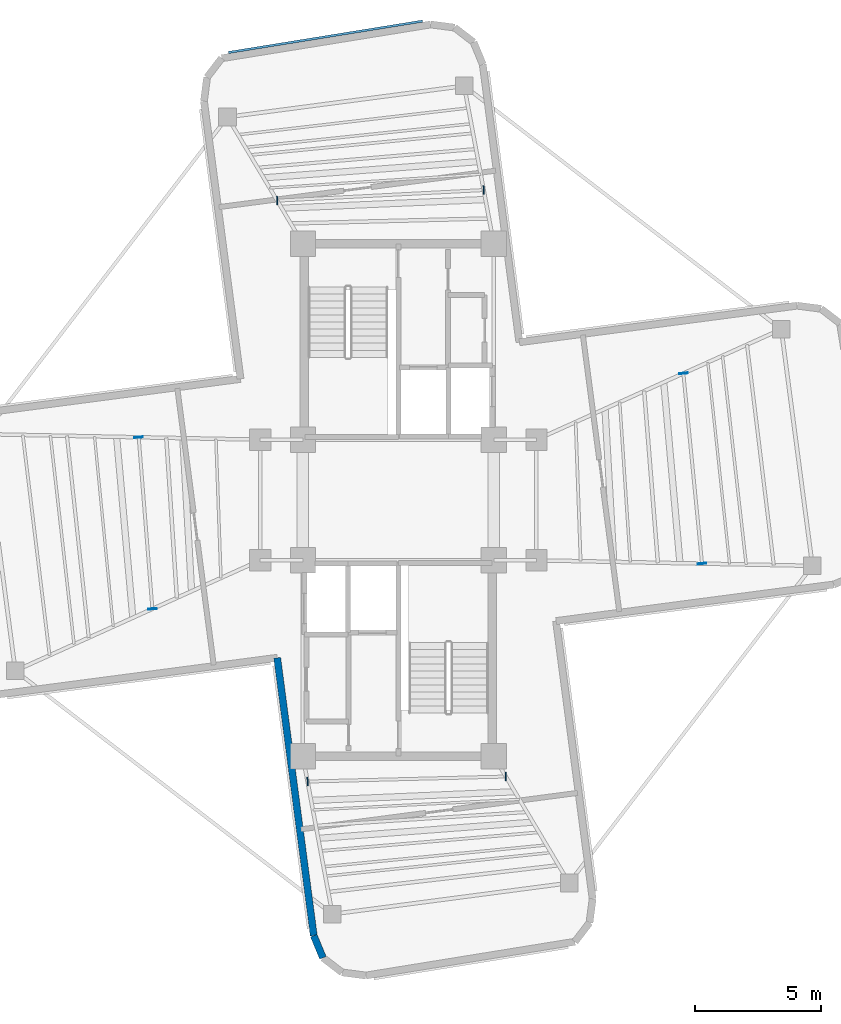
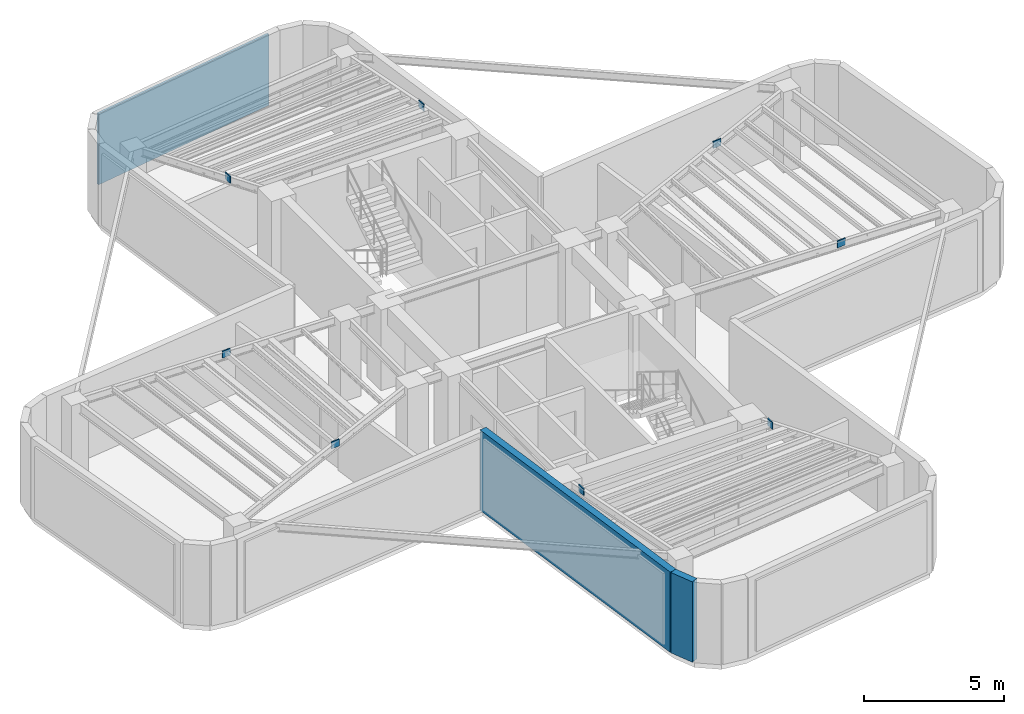
# One storey, part 3 of 6: 9 plates, 2 walls.
"""IFC4 building model written with IfcOpenShell, lengths in metres."""

from ifc_helpers import new_model, si_unit, direction, frame, frame_2d, origin, origin_2d, place, context, subcontext, project, spatial, rectangle, extrude, source, transform, mapped, material, layer, layer_set, type_object, element, save


model = new_model("IFC4")

# Units and contexts
model_context = context("Model", 3, precision=1e-05, world=origin(), true_north=direction((0.0, 1.0)))
body_context = subcontext(model_context, "Body", "Model", "MODEL_VIEW")
ifc_project = project(units=[si_unit("LENGTHUNIT", "METRE"), si_unit("AREAUNIT", "SQUARE_METRE"), si_unit("VOLUMEUNIT", "CUBIC_METRE"), si_unit("PLANEANGLEUNIT", "RADIAN"), si_unit("MASSUNIT", "GRAM", prefix="KILO")], contexts=[model_context])

# Site, building, storey
site_placement = place(None, origin())
site = spatial("IfcSite", under=ifc_project, at=site_placement, CompositionType="ELEMENT")
building_placement = place(site_placement, origin())
building = spatial("IfcBuilding", under=site, at=building_placement, Name="Sahyath Konkavel Grand Hotel", CompositionType="ELEMENT")
storey_placement = place(building_placement, frame((0.0, 0.0, 285.10009765625)))
storey = spatial("IfcBuildingStorey", under=building, at=storey_placement, Name="L79", CompositionType="ELEMENT", Elevation=285.10009765625)

# Plates
ifc_material_1 = material(Name="Steel E450", Category="steel")
plate_type_1 = type_object("IfcPlateType", Name="GUSSET-END-35", PredefinedType="USERDEFINED", material=ifc_material_1)
shared_shape_1 = source(origin(), body_context, "Body", "SweptSolid", [
    extrude(rectangle(XDim=0.0400390625, YDim=0.340087890625, at=origin_2d()), origin(), (0.0, 0.0, 1.0), 0.300048828125),
])
for number, where, z_axis, x_axis, name in (
    (1, (12.08984375, -2.532470703125, 3.23974609375), (0.0, 0.0, 1.0), (-0.097791337557, 0.995206940439, 0.0), "L79 Sub-Beam E-4 End Cap A"),
    (2, (11.345947265625, 5.038818359375, 3.23974609375), (0.0, 0.0, 1.0), (-0.097791337557, 0.995206940439, 0.0), "L79 Sub-Beam E-4 End Cap B"),
    (3, (-10.33251953125, 2.497314453125, 3.23974609375), (0.0, 0.0, 1.0), (0.079607409749, -0.996826293951, 0.0), "L79 Sub-Beam W-3 End Cap A"),
    (4, (-9.787109375, -4.3349609375, 3.23974609375), (0.0, 0.0, 1.0), (0.079607409749, -0.996826293951, 0.0), "L79 Sub-Beam W-3 End Cap B"),
    (5, (3.399169921875, 12.336181640625, 3.23974609375), (0.0, 0.0, 1.0), (-0.998686477448, -0.051237874303, 0.0), "L79 Sub-Beam N-2 End Cap A"),
    (6, (-4.8193359375, 11.914794921875, 3.23974609375), (0.0, 0.0, 1.0), (-0.998686477448, -0.051237874303, 0.0), "L79 Sub-Beam N-2 End Cap B"),
    (7, (-3.611328125, -11.205322265625, 3.23974609375), (0.0, 0.0, 1.0), (0.999684189283, 0.025130095443, 0.0), "L79 Sub-Beam S-1 End Cap A"),
    (8, (4.279541015625, -11.0068359375, 3.23974609375), (0.0, 0.0, 1.0), (0.999684189283, 0.025130095443, 0.0), "L79 Sub-Beam S-1 End Cap B"),
):
    element("IfcPlate", number, at=place(storey_placement, frame(where, z_axis=z_axis, x_axis=x_axis)), inside=storey, type_object=plate_type_1, Name=name, ObjectType="GUSSET_PLATE", PredefinedType="USERDEFINED", context=body_context, shape_type="MappedRepresentation", body=[
        mapped(shared_shape_1, transform((0.0, 0.0, 0.0), scale=1.0)),
    ])
ifc_material_2 = material(Name="Warm Buff Sandstone Perforated Cladding", Category="masonry")
ifc_layer_1 = layer(ifc_material_2, 0.090087890625)
ifc_layer_set_1 = layer_set([ifc_layer_1], Name="Warm Buff Sandstone Perforated Cladding")
plate_type_2 = type_object("IfcPlateType", Name="PNL-CROWN-LOUVRE", PredefinedType="SHEET", material=ifc_layer_set_1)
shared_shape_2 = source(origin(), body_context, "Body", "SweptSolid", [
    extrude(rectangle(XDim=7.8291015625, YDim=0.090087890625, at=origin_2d()), origin(), (0.0, 0.0, 1.0), 3.10009765625),
])
plate_placement = place(storey_placement, frame((-2.89892578125, 18.435302734375, 0.199951171875), z_axis=(0.0, 0.0, 1.0), x_axis=(-0.987178088041, -0.159622750546, 0.0)))
element("IfcPlate", 9, at=plate_placement, inside=storey, type_object=plate_type_2, Name="L79 Crown Perforated Sandstone Louvre Screen 12", PredefinedType="SHEET", context=body_context, shape_type="MappedRepresentation", body=[
    mapped(shared_shape_2, transform((0.0, 0.0, 0.0), scale=1.0)),
])

# Walls
ifc_material_3 = material(Name="Warm Buff Sandstone Insulated Concrete C40/50", Category="masonry")
ifc_layer_2 = layer(ifc_material_3, 0.280029296875)
ifc_layer_set_2 = layer_set([ifc_layer_2], Name="Warm Buff Sandstone Insulated Concrete C40/50")
wall_type = type_object("IfcWallType", Name="WLL-CROWN-CLAD", PredefinedType="SOLIDWALL", material=ifc_layer_set_2)
wall_1_placement = place(storey_placement, frame((-4.821044921875, -6.282958984375, 0.0), z_axis=(0.0, 0.0, 1.0), x_axis=(0.130521347626, -0.991445499165, 0.0)))
element("IfcWall", 10, at=wall_1_placement, inside=storey, type_object=wall_type, Name="L79 Crown Sandstone & Acoustic Louvre Wall 24", PredefinedType="SOLIDWALL", context=body_context, shape_type="SweptSolid", body=[
    extrude(rectangle(XDim=11.150146484375, YDim=0.280029296875, at=frame_2d((5.5751953125, 0.0))), origin(), (0.0, 0.0, 1.0), 3.5),
])
wall_2_placement = place(storey_placement, frame((-3.36572265625, -17.337646484375, 0.0), z_axis=(0.0, 0.0, 1.0), x_axis=(0.382659506909, -0.923889442397, 0.0)))
element("IfcWall", 11, at=wall_2_placement, inside=storey, type_object=wall_type, Name="L79 Crown Sandstone & Acoustic Louvre Wall 25", PredefinedType="SOLIDWALL", context=body_context, shape_type="SweptSolid", body=[
    extrude(rectangle(XDim=0.957763671875, YDim=0.280029296875, at=frame_2d((0.47900390625, 0.0))), origin(), (0.0, 0.0, 1.0), 3.5),
])

save(model, "model.ifc")
